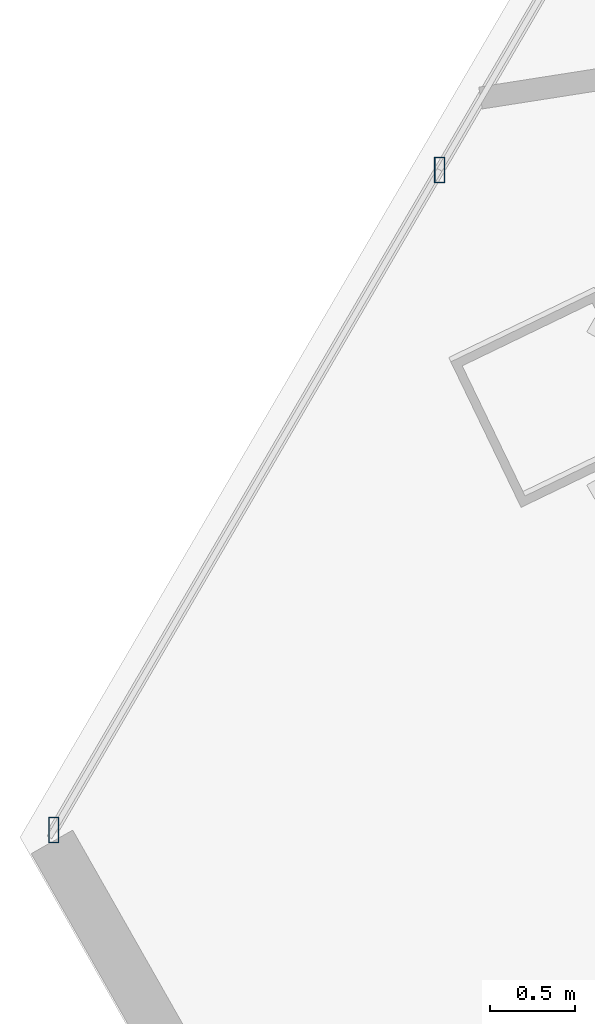
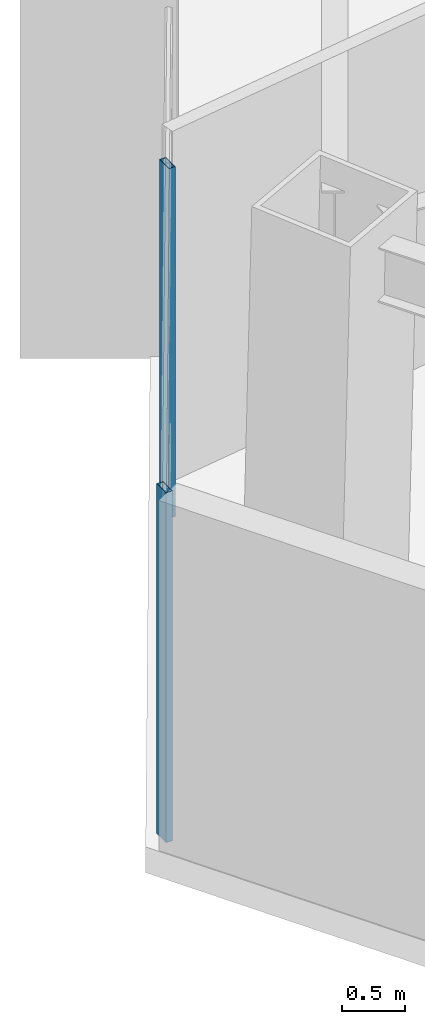
# One storey, part 6 of 41: 2 members, 1 element without a shape of its own.
"""IFC4 building model written with IfcOpenShell, lengths in metres."""

import ifcopenshell
import ifcopenshell.guid

model = None  # the IFC model being written
_history = None  # IfcOwnerHistory: only IFC2X3 demands one
_inside = {}  # id of a spatial element -> (the spatial element, [elements in it])
_under = {}  # id of a project, library or spatial element -> (it, [spatial elements below it])
_declared = {}  # id of a project -> (the project, [libraries it declares])
_typed = {}  # id of a type object -> (the type object, [elements of that type])
_made_of = {}  # id of a material, layer set ... -> (it, [elements and type objects made of it])


def new_model(schema):
    """Start an empty IFC model of exactly this schema.

    Asked for "IFC4X3", IfcOpenShell would pick the latest addendum, in which some entities
    have other attributes; the version numbers below select the first issue.
    IFC2X3 requires an IfcOwnerHistory on every rooted entity: one is made here for all.
    """
    global model, _history
    if schema == "IFC4X3":
        model = ifcopenshell.file(schema_version=(4, 3, 0, 0))
    else:
        model = ifcopenshell.file(schema=schema)
    _inside.clear()
    _under.clear()
    _declared.clear()
    _typed.clear()
    _made_of.clear()
    _history = None
    if model.schema == "IFC2X3":
        org = make("IfcOrganization", Name="unknown")
        user = make(
            "IfcPersonAndOrganization",
            ThePerson=make("IfcPerson", FamilyName="unknown"),
            TheOrganization=org,
        )
        app = make(
            "IfcApplication",
            ApplicationDeveloper=org,
            Version="unknown",
            ApplicationFullName="unknown",
            ApplicationIdentifier="unknown",
        )
        _history = make(
            "IfcOwnerHistory",
            OwningUser=user,
            OwningApplication=app,
            ChangeAction="ADDED",
            CreationDate=0,
        )
    return model


def make(cls, **values):
    """One entity of the class cls with the attributes given. An attribute that is None is left unset."""
    return model.create_entity(
        cls, **{name: value for name, value in values.items() if value is not None}
    )


def rooted(cls, **values):
    """An entity with a GlobalId (a new one), such as an element, a storey or a relation."""
    return make(cls, GlobalId=ifcopenshell.guid.new(), OwnerHistory=_history, **values)


def si_unit(unit_type, name, prefix=None):
    """IfcSIUnit, for example si_unit("LENGTHUNIT", "METRE", prefix="MILLI")."""
    return make("IfcSIUnit", UnitType=unit_type, Prefix=prefix, Name=name)


def assignment(units):
    """IfcUnitAssignment: the units of a project."""
    return None if units is None else make("IfcUnitAssignment", Units=units)


def point(xyz):
    """IfcCartesianPoint."""
    return None if xyz is None else make("IfcCartesianPoint", Coordinates=xyz)


def direction(xyz):
    """IfcDirection."""
    return None if xyz is None else make("IfcDirection", DirectionRatios=xyz)


def frame(location, z_axis=None, x_axis=None):
    """IfcAxis2Placement3D, a coordinate frame: its origin and axes. An axis left out is left unset."""
    return make(
        "IfcAxis2Placement3D",
        Location=point(location),
        Axis=direction(z_axis),
        RefDirection=direction(x_axis),
    )


def frame_2d(location, x_axis=None):
    """IfcAxis2Placement2D, a coordinate frame in the plane: its origin and x axis."""
    return make(
        "IfcAxis2Placement2D", Location=point(location), RefDirection=direction(x_axis)
    )


def origin():
    """The frame at (0, 0, 0) with its axes left unset."""
    return frame((0.0, 0.0, 0.0))


def origin_2d():
    """The frame at (0, 0) in the plane with its x axis left unset."""
    return frame_2d((0.0, 0.0))


def place(relative_to, where):
    """IfcLocalPlacement: puts the frame where relative to a parent placement (None: the world)."""
    return make(
        "IfcLocalPlacement", PlacementRelTo=relative_to, RelativePlacement=where
    )


def context(
    kind, dimensions, precision=None, world=None, true_north=None, identifier=None
):
    """IfcGeometricRepresentationContext, for example the 3D "Model" context."""
    return make(
        "IfcGeometricRepresentationContext",
        ContextIdentifier=identifier,
        ContextType=kind,
        CoordinateSpaceDimension=dimensions,
        Precision=precision,
        WorldCoordinateSystem=world,
        TrueNorth=true_north,
    )


def subcontext(parent, identifier, kind, view, scale=None):
    """IfcGeometricRepresentationSubContext, for example "Body" below "Model"."""
    return make(
        "IfcGeometricRepresentationSubContext",
        ContextIdentifier=identifier,
        ContextType=kind,
        ParentContext=parent,
        TargetScale=scale,
        TargetView=view,
    )


def project(units=None, contexts=None):
    """IfcProject with its units and contexts."""
    return rooted(
        "IfcProject",
        Name="project",
        RepresentationContexts=contexts,
        UnitsInContext=assignment(units),
    )


def spatial(cls, under=None, at=None, **own):
    """A site, building, storey or space (cls), placed at a placement, below another one or the project."""
    s = rooted(cls, ObjectPlacement=at, **own)
    if under is not None:
        _under.setdefault(under.id(), (under, []))[1].append(s)
    return s


def profile(cls, at=None, kind="AREA", **sizes):
    """A parametric profile (cls). Its sizes go by their IFC names, for example OverallWidth=200.0."""
    return make(cls, ProfileType=kind, Position=at, **sizes)


def hollow_rectangle(**sizes):
    """IfcRectangleHollowProfileDef."""
    return profile("IfcRectangleHollowProfileDef", **sizes)


def extrude(swept, where, along, depth):
    """IfcExtrudedAreaSolid: the profile swept, set in the frame where, extruded along a direction by depth."""
    return make(
        "IfcExtrudedAreaSolid",
        SweptArea=swept,
        Position=where,
        ExtrudedDirection=direction(along),
        Depth=depth,
    )


def shape(context_of_items, identifier, shape_type, items):
    """IfcShapeRepresentation: the items that make up one representation, for example the "Body"."""
    return make(
        "IfcShapeRepresentation",
        ContextOfItems=context_of_items,
        RepresentationIdentifier=identifier,
        RepresentationType=shape_type,
        Items=items,
    )


def source(mapping_origin, context_of_items, identifier, shape_type, items):
    """IfcRepresentationMap: a shape defined once, which mapped items show again and again."""
    return make(
        "IfcRepresentationMap",
        MappingOrigin=mapping_origin,
        MappedRepresentation=shape(context_of_items, identifier, shape_type, items),
    )


def transform(
    local_origin,
    x_axis=None,
    y_axis=None,
    z_axis=None,
    scale=None,
    scale2=None,
    scale3=None,
    uniform=True,
):
    """IfcCartesianTransformationOperator3D, or its non-uniform kind. x_axis, y_axis, z_axis: its Axis1, 2, 3."""
    if uniform:
        return make(
            "IfcCartesianTransformationOperator3D",
            Axis1=direction(x_axis),
            Axis2=direction(y_axis),
            LocalOrigin=point(local_origin),
            Scale=scale,
            Axis3=direction(z_axis),
        )
    return make(
        "IfcCartesianTransformationOperator3DnonUniform",
        Axis1=direction(x_axis),
        Axis2=direction(y_axis),
        LocalOrigin=point(local_origin),
        Scale=scale,
        Axis3=direction(z_axis),
        Scale2=scale2,
        Scale3=scale3,
    )


def mapped(mapping_source, mapping_target):
    """IfcMappedItem: shows the shape of a source again, moved by a transform."""
    return make(
        "IfcMappedItem", MappingSource=mapping_source, MappingTarget=mapping_target
    )


def material(Name=None, Category=None):
    """IfcMaterial."""
    return make("IfcMaterial", Name=Name, Category=Category)


def material_profile(
    of_material, cross_section, Name=None, Category=None, Priority=None
):
    """IfcMaterialProfile: a cross section and its material."""
    return make(
        "IfcMaterialProfile",
        Name=Name,
        Material=of_material,
        Profile=cross_section,
        Priority=Priority,
        Category=Category,
    )


def profile_set(profiles, Name=None, composite=None):
    """IfcMaterialProfileSet."""
    return make(
        "IfcMaterialProfileSet",
        Name=Name,
        MaterialProfiles=profiles,
        CompositeProfile=composite,
    )


def made_of(thing, what):
    """Note that an element or type object is made of a material, layer set ...; save() writes the relation."""
    if what is not None:
        _made_of.setdefault(what.id(), (what, []))[1].append(thing)
    return thing


def type_object(cls, material=None, **own):
    """A type object (cls), such as IfcWallType, which elements share."""
    return made_of(rooted(cls, **own), material)


def type_shapes(of_type, sources):
    """Give a type object the sources (RepresentationMaps) that its elements show as mapped items."""
    of_type.RepresentationMaps = sources


def element(
    cls,
    number,
    at=None,
    inside=None,
    cuts=None,
    type_object=None,
    material=None,
    context=None,
    identifier="Body",
    shape_type=None,
    held_by="IfcProductDefinitionShape",
    body=None,
    shapes=None,
    **own,
):
    """One element of the class cls, such as IfcWall. Its Tag is "e" and its number.

    at: its placement. inside: the storey or other place that contains it. cuts: it is an
    opening in that element (IfcRelVoidsElement). A single representation is given by context,
    identifier, shape_type and body (its items); several are given by shapes. held_by: the class
    of the entity that holds the representations. save() writes the other relations.
    """
    e = rooted(cls, Tag="e%d" % number, ObjectPlacement=at, **own)
    if body is not None:
        shapes = [shape(context, identifier, shape_type, body)]
    if shapes is not None:
        e.Representation = make(held_by, Representations=shapes)
    if inside is not None:
        _inside.setdefault(inside.id(), (inside, []))[1].append(e)
    if cuts is not None:
        rooted(
            "IfcRelVoidsElement", RelatingBuildingElement=cuts, RelatedOpeningElement=e
        )
    if type_object is not None:
        _typed.setdefault(type_object.id(), (type_object, []))[1].append(e)
    return made_of(e, material)


def aggregate(whole, parts):
    """IfcRelAggregates: a whole, such as a stair, and the parts it consists of."""
    return rooted("IfcRelAggregates", RelatingObject=whole, RelatedObjects=parts)


def save(model, path):
    """Write the relations noted so far, then the file.

    IfcRelAggregates (storeys below a building ...), IfcRelContainedInSpatialStructure (elements
    in a storey), IfcRelDefinesByType, IfcRelAssociatesMaterial and IfcRelDeclares: one each for
    every whole, place, type object, material and project.
    """
    for whole, parts in _under.values():
        aggregate(whole, parts)
    for where, things in _inside.values():
        rooted(
            "IfcRelContainedInSpatialStructure",
            RelatedElements=things,
            RelatingStructure=where,
        )
    for kind, things in _typed.values():
        rooted("IfcRelDefinesByType", RelatedObjects=things, RelatingType=kind)
    for what, things in _made_of.values():
        rooted("IfcRelAssociatesMaterial", RelatedObjects=things, RelatingMaterial=what)
    for by, libraries in _declared.values():
        rooted("IfcRelDeclares", RelatingContext=by, RelatedDefinitions=libraries)
    model.write(path)


model = new_model("IFC4")

# Units and contexts
model_context = context("Model", 3, precision=1e-05, world=origin(), true_north=direction((0.0, 1.0)))
body_context = subcontext(model_context, "Body", "Model", "MODEL_VIEW")
ifc_project = project(units=[si_unit("LENGTHUNIT", "METRE"), si_unit("AREAUNIT", "SQUARE_METRE"), si_unit("VOLUMEUNIT", "CUBIC_METRE"), si_unit("PLANEANGLEUNIT", "RADIAN"), si_unit("MASSUNIT", "GRAM", prefix="KILO")], contexts=[model_context])

# Site, building, storey
site_placement = place(None, origin())
site = spatial("IfcSite", under=ifc_project, at=site_placement, CompositionType="ELEMENT")
building_placement = place(site_placement, origin())
building = spatial("IfcBuilding", under=site, at=building_placement, Name="Caelisora Broadcast Tower", CompositionType="ELEMENT")
storey_placement = place(building_placement, frame((0.0, 0.0, 135.449951171875)))
storey = spatial("IfcBuildingStorey", under=building, at=storey_placement, Name="L35", CompositionType="ELEMENT", Elevation=135.449951171875)

# Curtain wall, members
ifc_material_1 = material(Name="Unitised Aluminium and Low-E Glass Curtain Wall", Category="glass")
curtain_wall_type = type_object("IfcCurtainWallType", Name="CW-Z3", PredefinedType="NOTDEFINED", material=ifc_material_1)
curtain_wall_placement = place(storey_placement, origin())
curtain_wall = element("IfcCurtainWall", 1, at=curtain_wall_placement, inside=storey, type_object=curtain_wall_type, Name="L35 curtain wall CW-Z3", PredefinedType="NOTDEFINED")
ifc_material_2 = material(Name="Aluminium 6063-T6 Anodised Terracotta Bronze", Category="aluminium")
ifc_material_profile = material_profile(ifc_material_2, hollow_rectangle(XDim=0.06005859375, YDim=0.14990234375, WallThickness=0.00341796875, at=origin_2d()), Name="Aluminium 6063-T6 Anodised Terracotta Bronze")
ifc_profile_set = profile_set([ifc_material_profile], Name="Aluminium 6063-T6 Anodised Terracotta Bronze")
member_type = type_object("IfcMemberType", Name="CWM-03", PredefinedType="MULLION", material=ifc_profile_set)
shared_shape = source(origin(), body_context, "Body", "SweptSolid", [
    extrude(hollow_rectangle(XDim=0.06005859375, YDim=0.14990234375, WallThickness=0.00341796875, at=origin_2d()), origin(), (0.0, 0.0, 1.0), 3.400146484375),
])
type_shapes(member_type, [shared_shape])
member_1_placement = place(storey_placement, frame((12.22216796875, 16.043212890625, 0.0), z_axis=(0.0, 0.0, 1.0), x_axis=(1.0, 0.0, 0.0)))
member_1 = element("IfcMember", 2, at=member_1_placement, type_object=member_type, Name="L35-CW-B09 mullion #0", PredefinedType="MULLION", context=body_context, shape_type="MappedRepresentation", body=[
    mapped(shared_shape, transform((0.0, 0.0, 0.0), scale=1.0)),
])
member_2_placement = place(storey_placement, frame((14.49169921875, 19.9267578125, 0.0), z_axis=(0.0, 0.0, 1.0), x_axis=(1.0, 0.0, 0.0)))
member_2 = element("IfcMember", 3, at=member_2_placement, type_object=member_type, Name="L35-CW-B09 mullion #1", PredefinedType="MULLION", context=body_context, shape_type="MappedRepresentation", body=[
    mapped(shared_shape, transform((0.0, 0.0, 0.0), scale=1.0)),
])
aggregate(curtain_wall, [member_1, member_2])

save(model, "model.ifc")
